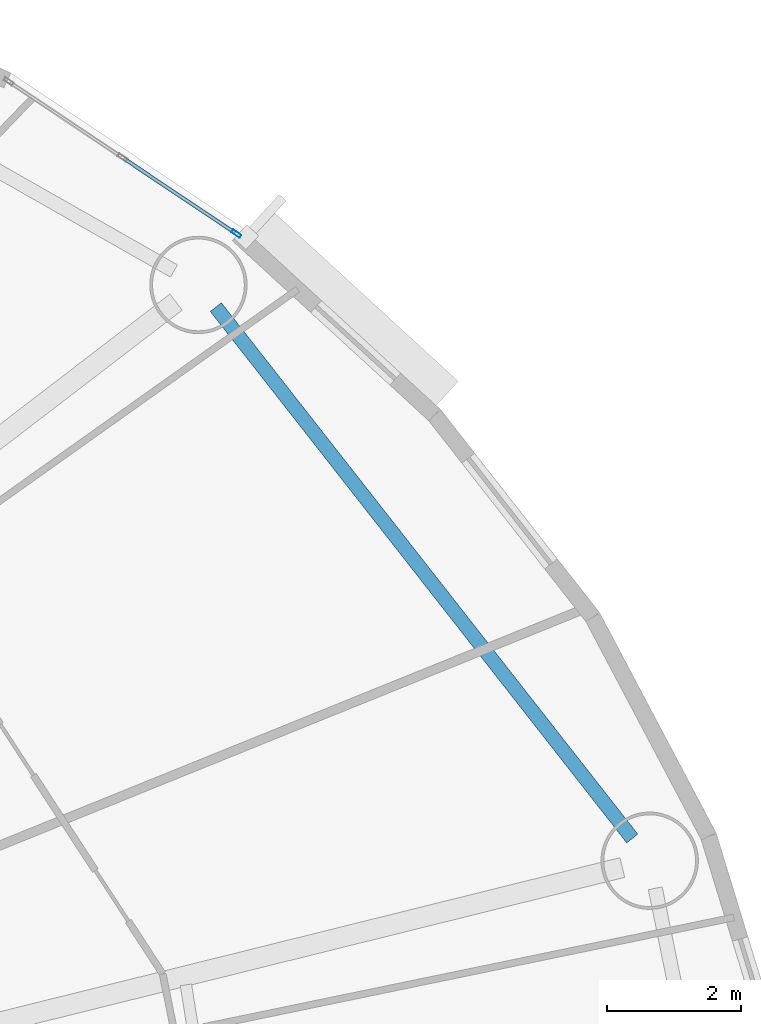
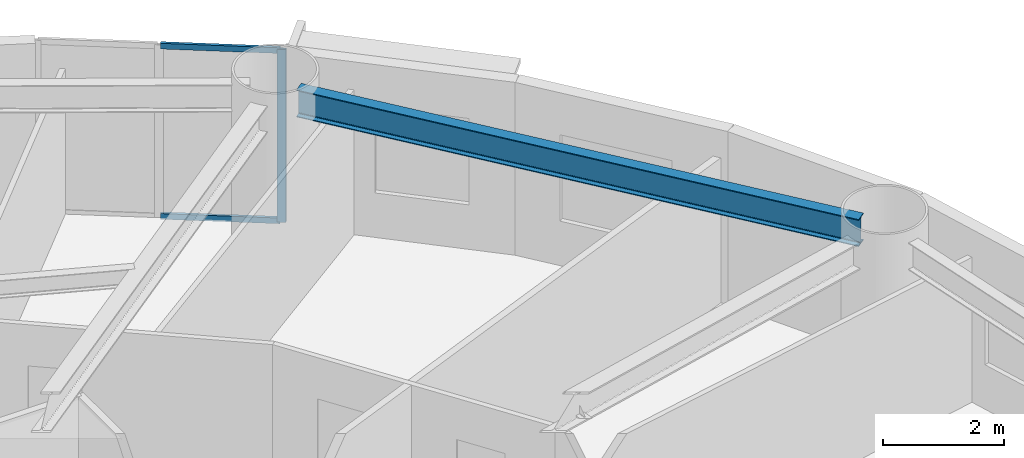
# One storey, part 8 of 20: 3 members, 1 beam, 1 element without a shape of its own.
"""IFC4 building model written with IfcOpenShell, lengths in metres."""

from ifc_helpers import new_model, si_unit, direction, frame, origin, origin_2d, place, context, subcontext, project, spatial, hollow_rectangle, i_section, extrude, source, transform, mapped, material, layer, layer_set, material_profile, profile_set, type_object, element, aggregate, save


model = new_model("IFC4")

# Units and contexts
model_context = context("Model", 3, precision=1e-05, world=origin(), true_north=direction((0.0, 1.0)))
body_context = subcontext(model_context, "Body", "Model", "MODEL_VIEW")
ifc_project = project(units=[si_unit("LENGTHUNIT", "METRE"), si_unit("AREAUNIT", "SQUARE_METRE"), si_unit("VOLUMEUNIT", "CUBIC_METRE"), si_unit("PLANEANGLEUNIT", "RADIAN"), si_unit("MASSUNIT", "GRAM", prefix="KILO")], contexts=[model_context])

# Site, building, storey
site_placement = place(None, origin())
site = spatial("IfcSite", under=ifc_project, at=site_placement, CompositionType="ELEMENT")
building_placement = place(site_placement, origin())
building = spatial("IfcBuilding", under=site, at=building_placement, Name="Linh Dai School and Residence Tower", CompositionType="ELEMENT")
storey_placement = place(building_placement, frame((0.0, 0.0, 127.199951171875)))
storey = spatial("IfcBuildingStorey", under=building, at=storey_placement, Name="L30", CompositionType="ELEMENT", Elevation=127.199951171875)

# Beam
ifc_material_1 = material(Name="Structural Steel S355JR", Category="steel")
ifc_material_profile_1 = material_profile(ifc_material_1, i_section(OverallWidth=0.2099609375, OverallDepth=0.550048828125, WebThickness=0.010986328125, FlangeThickness=0.01708984375, FilletRadius=0.02392578125, at=origin_2d()), Name="IPE 550")
ifc_profile_set_1 = profile_set([ifc_material_profile_1], Name="Structural Steel S355JR")
beam_type = type_object("IfcBeamType", Name="BM-RB55", PredefinedType="BEAM", material=ifc_profile_set_1)
beam_placement = place(storey_placement, frame((62.233642578125, 33.91162109375, 3.22509765625), z_axis=(-0.616854830973, 0.787076945098, 0.0), x_axis=(-0.787076945098, -0.616854830973, 0.0)))
element("IfcBeam", 1, at=beam_placement, inside=storey, type_object=beam_type, Name="L30 Perimeter Elliptical Ring Beam 02", PredefinedType="BEAM", context=body_context, shape_type="SweptSolid", body=[
    extrude(i_section(OverallWidth=0.2099609375, OverallDepth=0.550048828125, WebThickness=0.010986328125, FlangeThickness=0.01708984375, FilletRadius=0.02392578125, at=origin_2d()), origin(), (0.0, 0.0, 1.0), 10.053955078125),
])

# Curtain wall, members
ifc_material_2 = material(Name="Aluminium Anodised Curtain Wall", Category="aluminium")
ifc_layer = layer(ifc_material_2, 0.14990234375)
ifc_layer_set = layer_set([ifc_layer], Name="Aluminium Anodised Curtain Wall")
curtain_wall_type = type_object("IfcCurtainWallType", Name="CW-SYS-4", PredefinedType="USERDEFINED", material=ifc_layer_set)
curtain_wall_placement = place(storey_placement, origin())
curtain_wall = element("IfcCurtainWall", 2, at=curtain_wall_placement, inside=storey, type_object=curtain_wall_type, Name="L30 CW4 Curtain Wall 06", ObjectType="RIBBON CURTAIN WALL", PredefinedType="USERDEFINED")
ifc_material_3 = material(Name="Aluminium Alloy 6063-T6", Category="aluminium")
ifc_material_profile_2 = material_profile(ifc_material_3, hollow_rectangle(XDim=0.052001953125, YDim=0.14990234375, WallThickness=0.00390625, at=origin_2d()), Name="RHS 150x52x4")
ifc_profile_set_2 = profile_set([ifc_material_profile_2], Name="Aluminium Alloy 6063-T6")
member_type_1 = type_object("IfcMemberType", Name="CW-SYS-4-MUL", PredefinedType="MULLION", material=ifc_profile_set_2)
shared_shape_1 = source(origin(), body_context, "Body", "SweptSolid", [
    extrude(hollow_rectangle(XDim=0.052001953125, YDim=0.14990234375, WallThickness=0.00390625, at=origin_2d()), origin(), (0.0, 0.0, 1.0), 3.5),
])
member_1_placement = place(storey_placement, frame((56.336669921875, 42.91796875, 0.0), z_axis=(0.0, 0.0, 1.0), x_axis=(0.555913198527, 0.831240347736, 0.0)))
member_1 = element("IfcMember", 3, at=member_1_placement, type_object=member_type_1, Name="CW4 mullion 3", PredefinedType="MULLION", context=body_context, shape_type="MappedRepresentation", body=[
    mapped(shared_shape_1, transform((0.0, 0.0, 0.0), x_axis=(1.0, 0.0, 0.0), y_axis=(0.0, 1.0, 0.0), z_axis=(0.0, 0.0, 1.0), scale=1.0)),
])
ifc_material_profile_3 = material_profile(ifc_material_3, hollow_rectangle(XDim=0.052001953125, YDim=0.114990234375, WallThickness=0.00390625, at=origin_2d()), Name="RHS 115x52x4")
ifc_profile_set_3 = profile_set([ifc_material_profile_3], Name="Aluminium Alloy 6063-T6")
member_type_2 = type_object("IfcMemberType", Name="CW-SYS-4-TRN", PredefinedType="USERDEFINED", material=ifc_profile_set_3)
shared_shape_2 = source(origin(), body_context, "Body", "SweptSolid", [
    extrude(hollow_rectangle(XDim=0.052001953125, YDim=0.114990234375, WallThickness=0.00390625, at=origin_2d()), origin(), (0.0, 0.0, 1.0), 1.987060546875),
])
member_2_placement = place(storey_placement, frame((54.663330078125, 44.036865234375, 0.026123046875), z_axis=(0.83129343924, -0.555833804186, 0.0), x_axis=(0.555833804186, 0.83129343924, 0.0)))
member_2 = element("IfcMember", 4, at=member_2_placement, type_object=member_type_2, Name="CW4 transom 2.1", ObjectType="TRANSOM", PredefinedType="USERDEFINED", context=body_context, shape_type="MappedRepresentation", body=[
    mapped(shared_shape_2, transform((0.0, 0.0, 0.0), x_axis=(1.0, 0.0, 0.0), y_axis=(0.0, 1.0, 0.0), z_axis=(0.0, 0.0, 1.0), scale=1.0)),
])
member_3_placement = place(storey_placement, frame((54.663330078125, 44.036865234375, 3.47412109375), z_axis=(0.83129343924, -0.555833804186, 0.0), x_axis=(0.555833804186, 0.83129343924, 0.0)))
member_3 = element("IfcMember", 5, at=member_3_placement, type_object=member_type_2, Name="CW4 transom 2.2", ObjectType="TRANSOM", PredefinedType="USERDEFINED", context=body_context, shape_type="MappedRepresentation", body=[
    mapped(shared_shape_2, transform((0.0, 0.0, 0.0), x_axis=(1.0, 0.0, 0.0), y_axis=(0.0, 1.0, 0.0), z_axis=(0.0, 0.0, 1.0), scale=1.0)),
])
aggregate(curtain_wall, [member_1, member_2, member_3])

save(model, "model.ifc")
